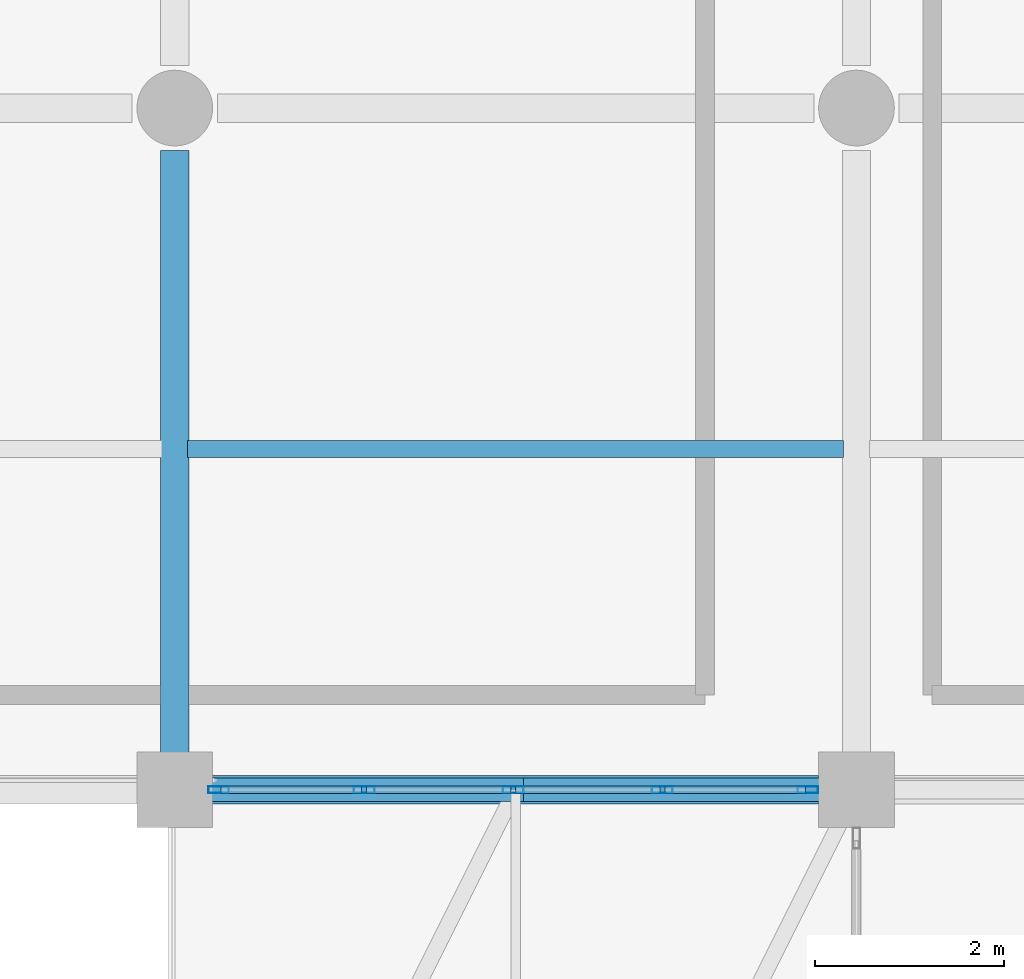
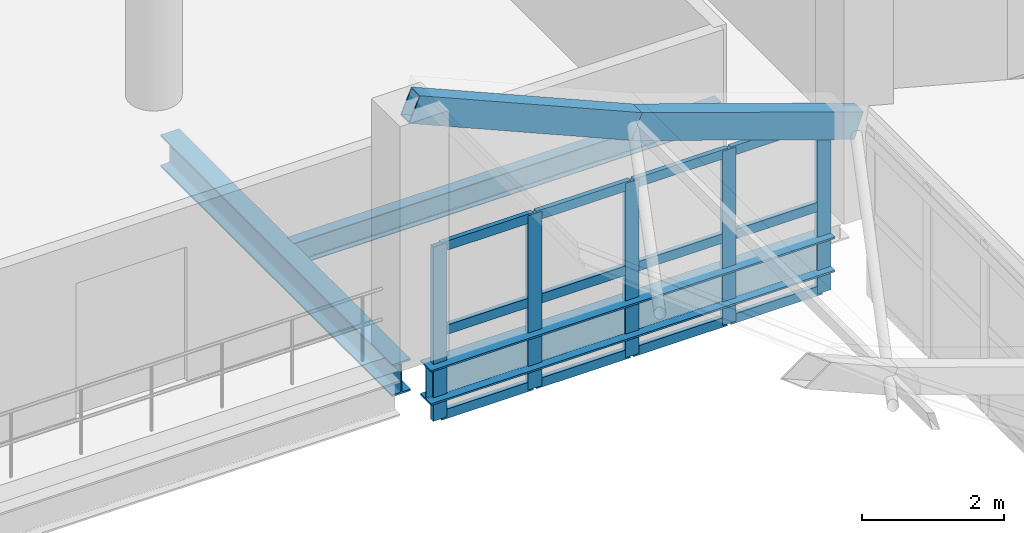
# One storey, part 68 of 153: 17 members, 5 beams, 1 element without a shape of its own.
"""IFC4 building model written with IfcOpenShell, lengths in metres."""

import ifcopenshell
import ifcopenshell.guid

model = None  # the IFC model being written
_history = None  # IfcOwnerHistory: only IFC2X3 demands one
_inside = {}  # id of a spatial element -> (the spatial element, [elements in it])
_under = {}  # id of a project, library or spatial element -> (it, [spatial elements below it])
_declared = {}  # id of a project -> (the project, [libraries it declares])
_typed = {}  # id of a type object -> (the type object, [elements of that type])
_made_of = {}  # id of a material, layer set ... -> (it, [elements and type objects made of it])


def new_model(schema):
    """Start an empty IFC model of exactly this schema.

    Asked for "IFC4X3", IfcOpenShell would pick the latest addendum, in which some entities
    have other attributes; the version numbers below select the first issue.
    IFC2X3 requires an IfcOwnerHistory on every rooted entity: one is made here for all.
    """
    global model, _history
    if schema == "IFC4X3":
        model = ifcopenshell.file(schema_version=(4, 3, 0, 0))
    else:
        model = ifcopenshell.file(schema=schema)
    _inside.clear()
    _under.clear()
    _declared.clear()
    _typed.clear()
    _made_of.clear()
    _history = None
    if model.schema == "IFC2X3":
        org = make("IfcOrganization", Name="unknown")
        user = make(
            "IfcPersonAndOrganization",
            ThePerson=make("IfcPerson", FamilyName="unknown"),
            TheOrganization=org,
        )
        app = make(
            "IfcApplication",
            ApplicationDeveloper=org,
            Version="unknown",
            ApplicationFullName="unknown",
            ApplicationIdentifier="unknown",
        )
        _history = make(
            "IfcOwnerHistory",
            OwningUser=user,
            OwningApplication=app,
            ChangeAction="ADDED",
            CreationDate=0,
        )
    return model


def make(cls, **values):
    """One entity of the class cls with the attributes given. An attribute that is None is left unset."""
    return model.create_entity(
        cls, **{name: value for name, value in values.items() if value is not None}
    )


def rooted(cls, **values):
    """An entity with a GlobalId (a new one), such as an element, a storey or a relation."""
    return make(cls, GlobalId=ifcopenshell.guid.new(), OwnerHistory=_history, **values)


def si_unit(unit_type, name, prefix=None):
    """IfcSIUnit, for example si_unit("LENGTHUNIT", "METRE", prefix="MILLI")."""
    return make("IfcSIUnit", UnitType=unit_type, Prefix=prefix, Name=name)


def assignment(units):
    """IfcUnitAssignment: the units of a project."""
    return None if units is None else make("IfcUnitAssignment", Units=units)


def point(xyz):
    """IfcCartesianPoint."""
    return None if xyz is None else make("IfcCartesianPoint", Coordinates=xyz)


def direction(xyz):
    """IfcDirection."""
    return None if xyz is None else make("IfcDirection", DirectionRatios=xyz)


def frame(location, z_axis=None, x_axis=None):
    """IfcAxis2Placement3D, a coordinate frame: its origin and axes. An axis left out is left unset."""
    return make(
        "IfcAxis2Placement3D",
        Location=point(location),
        Axis=direction(z_axis),
        RefDirection=direction(x_axis),
    )


def frame_2d(location, x_axis=None):
    """IfcAxis2Placement2D, a coordinate frame in the plane: its origin and x axis."""
    return make(
        "IfcAxis2Placement2D", Location=point(location), RefDirection=direction(x_axis)
    )


def origin():
    """The frame at (0, 0, 0) with its axes left unset."""
    return frame((0.0, 0.0, 0.0))


def origin_2d():
    """The frame at (0, 0) in the plane with its x axis left unset."""
    return frame_2d((0.0, 0.0))


def place(relative_to, where):
    """IfcLocalPlacement: puts the frame where relative to a parent placement (None: the world)."""
    return make(
        "IfcLocalPlacement", PlacementRelTo=relative_to, RelativePlacement=where
    )


def context(
    kind, dimensions, precision=None, world=None, true_north=None, identifier=None
):
    """IfcGeometricRepresentationContext, for example the 3D "Model" context."""
    return make(
        "IfcGeometricRepresentationContext",
        ContextIdentifier=identifier,
        ContextType=kind,
        CoordinateSpaceDimension=dimensions,
        Precision=precision,
        WorldCoordinateSystem=world,
        TrueNorth=true_north,
    )


def subcontext(parent, identifier, kind, view, scale=None):
    """IfcGeometricRepresentationSubContext, for example "Body" below "Model"."""
    return make(
        "IfcGeometricRepresentationSubContext",
        ContextIdentifier=identifier,
        ContextType=kind,
        ParentContext=parent,
        TargetScale=scale,
        TargetView=view,
    )


def project(units=None, contexts=None):
    """IfcProject with its units and contexts."""
    return rooted(
        "IfcProject",
        Name="project",
        RepresentationContexts=contexts,
        UnitsInContext=assignment(units),
    )


def spatial(cls, under=None, at=None, **own):
    """A site, building, storey or space (cls), placed at a placement, below another one or the project."""
    s = rooted(cls, ObjectPlacement=at, **own)
    if under is not None:
        _under.setdefault(under.id(), (under, []))[1].append(s)
    return s


def profile(cls, at=None, kind="AREA", **sizes):
    """A parametric profile (cls). Its sizes go by their IFC names, for example OverallWidth=200.0."""
    return make(cls, ProfileType=kind, Position=at, **sizes)


def hollow_rectangle(**sizes):
    """IfcRectangleHollowProfileDef."""
    return profile("IfcRectangleHollowProfileDef", **sizes)


def i_section(**sizes):
    """IfcIShapeProfileDef."""
    return profile("IfcIShapeProfileDef", **sizes)


def extrude(swept, where, along, depth):
    """IfcExtrudedAreaSolid: the profile swept, set in the frame where, extruded along a direction by depth."""
    return make(
        "IfcExtrudedAreaSolid",
        SweptArea=swept,
        Position=where,
        ExtrudedDirection=direction(along),
        Depth=depth,
    )


def shape(context_of_items, identifier, shape_type, items):
    """IfcShapeRepresentation: the items that make up one representation, for example the "Body"."""
    return make(
        "IfcShapeRepresentation",
        ContextOfItems=context_of_items,
        RepresentationIdentifier=identifier,
        RepresentationType=shape_type,
        Items=items,
    )


def material(Name=None, Category=None):
    """IfcMaterial."""
    return make("IfcMaterial", Name=Name, Category=Category)


def material_profile(
    of_material, cross_section, Name=None, Category=None, Priority=None
):
    """IfcMaterialProfile: a cross section and its material."""
    return make(
        "IfcMaterialProfile",
        Name=Name,
        Material=of_material,
        Profile=cross_section,
        Priority=Priority,
        Category=Category,
    )


def profile_set(profiles, Name=None, composite=None):
    """IfcMaterialProfileSet."""
    return make(
        "IfcMaterialProfileSet",
        Name=Name,
        MaterialProfiles=profiles,
        CompositeProfile=composite,
    )


def made_of(thing, what):
    """Note that an element or type object is made of a material, layer set ...; save() writes the relation."""
    if what is not None:
        _made_of.setdefault(what.id(), (what, []))[1].append(thing)
    return thing


def type_object(cls, material=None, **own):
    """A type object (cls), such as IfcWallType, which elements share."""
    return made_of(rooted(cls, **own), material)


def element(
    cls,
    number,
    at=None,
    inside=None,
    cuts=None,
    type_object=None,
    material=None,
    context=None,
    identifier="Body",
    shape_type=None,
    held_by="IfcProductDefinitionShape",
    body=None,
    shapes=None,
    **own,
):
    """One element of the class cls, such as IfcWall. Its Tag is "e" and its number.

    at: its placement. inside: the storey or other place that contains it. cuts: it is an
    opening in that element (IfcRelVoidsElement). A single representation is given by context,
    identifier, shape_type and body (its items); several are given by shapes. held_by: the class
    of the entity that holds the representations. save() writes the other relations.
    """
    e = rooted(cls, Tag="e%d" % number, ObjectPlacement=at, **own)
    if body is not None:
        shapes = [shape(context, identifier, shape_type, body)]
    if shapes is not None:
        e.Representation = make(held_by, Representations=shapes)
    if inside is not None:
        _inside.setdefault(inside.id(), (inside, []))[1].append(e)
    if cuts is not None:
        rooted(
            "IfcRelVoidsElement", RelatingBuildingElement=cuts, RelatedOpeningElement=e
        )
    if type_object is not None:
        _typed.setdefault(type_object.id(), (type_object, []))[1].append(e)
    return made_of(e, material)


def aggregate(whole, parts):
    """IfcRelAggregates: a whole, such as a stair, and the parts it consists of."""
    return rooted("IfcRelAggregates", RelatingObject=whole, RelatedObjects=parts)


def save(model, path):
    """Write the relations noted so far, then the file.

    IfcRelAggregates (storeys below a building ...), IfcRelContainedInSpatialStructure (elements
    in a storey), IfcRelDefinesByType, IfcRelAssociatesMaterial and IfcRelDeclares: one each for
    every whole, place, type object, material and project.
    """
    for whole, parts in _under.values():
        aggregate(whole, parts)
    for where, things in _inside.values():
        rooted(
            "IfcRelContainedInSpatialStructure",
            RelatedElements=things,
            RelatingStructure=where,
        )
    for kind, things in _typed.values():
        rooted("IfcRelDefinesByType", RelatedObjects=things, RelatingType=kind)
    for what, things in _made_of.values():
        rooted("IfcRelAssociatesMaterial", RelatedObjects=things, RelatingMaterial=what)
    for by, libraries in _declared.values():
        rooted("IfcRelDeclares", RelatingContext=by, RelatedDefinitions=libraries)
    model.write(path)


model = new_model("IFC4")

# Units and contexts
model_context = context("Model", 3, precision=1e-05, world=origin(), true_north=direction((0.0, 1.0)))
body_context = subcontext(model_context, "Body", "Model", "MODEL_VIEW")
ifc_project = project(units=[si_unit("LENGTHUNIT", "METRE"), si_unit("AREAUNIT", "SQUARE_METRE"), si_unit("VOLUMEUNIT", "CUBIC_METRE"), si_unit("PLANEANGLEUNIT", "RADIAN"), si_unit("MASSUNIT", "GRAM", prefix="KILO")], contexts=[model_context])

# Site, building, storey
site_placement = place(None, origin())
site = spatial("IfcSite", under=ifc_project, at=site_placement, CompositionType="ELEMENT")
building_placement = place(site_placement, origin())
building = spatial("IfcBuilding", under=site, at=building_placement, Name="Qandorah Velis Arena", CompositionType="ELEMENT")
storey_placement = place(building_placement, frame((0.0, 0.0, 5.39990234375)))
storey = spatial("IfcBuildingStorey", under=building, at=storey_placement, Name="L01", CompositionType="ELEMENT", Elevation=5.39990234375)

# Curtain wall, members
ifc_material_1 = material(Name="Solar-control low-E double glazing", Category="glass")
curtain_wall_type = type_object("IfcCurtainWallType", Name="ARC-CW-SYS05", PredefinedType="USERDEFINED", material=ifc_material_1)
curtain_wall_placement = place(storey_placement, origin())
curtain_wall = element("IfcCurtainWall", 1, at=curtain_wall_placement, inside=storey, type_object=curtain_wall_type, Name="Unitised curtain wall FOY-UP-4", ObjectType="UNITISED CURTAIN WALL", PredefinedType="USERDEFINED")
ifc_material_2 = material(Name="Champagne-bronze anodized aluminium 6063-T6", Category="aluminium")
ifc_material_profile_1 = material_profile(ifc_material_2, hollow_rectangle(XDim=0.074951171875, YDim=0.219970703125, WallThickness=0.00390625, at=origin_2d()), Name="ALU MULLION 75x220")
ifc_profile_set_1 = profile_set([ifc_material_profile_1], Name="Champagne-bronze anodized aluminium 6063-T6")
member_type_1 = type_object("IfcMemberType", Name="ARC-CWM-220", PredefinedType="MULLION", material=ifc_profile_set_1)
member_1_placement = place(storey_placement, frame((137.262451171875, 43.199951171875, -1.3349609375), z_axis=(0.0, 0.0, 1.0), x_axis=(0.0, 1.0, 0.0)))
member_1 = element("IfcMember", 2, at=member_1_placement, type_object=member_type_1, Name="CW05 mullion 1", PredefinedType="MULLION", context=body_context, shape_type="SweptSolid", body=[
    extrude(hollow_rectangle(XDim=0.074951171875, YDim=0.219970703125, WallThickness=0.00390625, at=origin_2d()), origin(), (0.0, 0.0, 1.0), 2.986572265625),
])
member_2_placement = place(storey_placement, frame((138.800048828125, 43.199951171875, -1.3349609375), z_axis=(0.0, 0.0, 1.0), x_axis=(0.0, 1.0, 0.0)))
member_2 = element("IfcMember", 3, at=member_2_placement, type_object=member_type_1, Name="CW05 mullion 2", PredefinedType="MULLION", context=body_context, shape_type="SweptSolid", body=[
    extrude(hollow_rectangle(XDim=0.074951171875, YDim=0.219970703125, WallThickness=0.00390625, at=origin_2d()), origin(), (0.0, 0.0, 1.0), 2.986572265625),
])
member_3_placement = place(storey_placement, frame((140.375, 43.199951171875, -1.3349609375), z_axis=(0.0, 0.0, 1.0), x_axis=(0.0, 1.0, 0.0)))
member_3 = element("IfcMember", 4, at=member_3_placement, type_object=member_type_1, Name="CW05 mullion 3", PredefinedType="MULLION", context=body_context, shape_type="SweptSolid", body=[
    extrude(hollow_rectangle(XDim=0.074951171875, YDim=0.219970703125, WallThickness=0.00390625, at=origin_2d()), origin(), (0.0, 0.0, 1.0), 2.986572265625),
])
member_4_placement = place(storey_placement, frame((141.949951171875, 43.199951171875, -1.3349609375), z_axis=(0.0, 0.0, 1.0), x_axis=(0.0, 1.0, 0.0)))
member_4 = element("IfcMember", 5, at=member_4_placement, type_object=member_type_1, Name="CW05 mullion 4", PredefinedType="MULLION", context=body_context, shape_type="SweptSolid", body=[
    extrude(hollow_rectangle(XDim=0.074951171875, YDim=0.219970703125, WallThickness=0.00390625, at=origin_2d()), origin(), (0.0, 0.0, 1.0), 2.986572265625),
])
member_5_placement = place(storey_placement, frame((143.487548828125, 43.199951171875, -1.3349609375), z_axis=(0.0, 0.0, 1.0), x_axis=(0.0, 1.0, 0.0)))
member_5 = element("IfcMember", 6, at=member_5_placement, type_object=member_type_1, Name="CW05 mullion 5", PredefinedType="MULLION", context=body_context, shape_type="SweptSolid", body=[
    extrude(hollow_rectangle(XDim=0.074951171875, YDim=0.219970703125, WallThickness=0.00390625, at=origin_2d()), origin(), (0.0, 0.0, 1.0), 2.986572265625),
])
ifc_material_profile_2 = material_profile(ifc_material_2, hollow_rectangle(XDim=0.074951171875, YDim=0.159912109375, WallThickness=0.00341796875, at=origin_2d()), Name="ALU TRANSOM 75x160")
ifc_profile_set_2 = profile_set([ifc_material_profile_2], Name="Champagne-bronze anodized aluminium 6063-T6")
member_type_2 = type_object("IfcMemberType", Name="ARC-CWT-160", PredefinedType="USERDEFINED", material=ifc_profile_set_2)
member_6_placement = place(storey_placement, frame((137.2880859375, 43.199951171875, -1.282470703125), z_axis=(1.0, 0.0, 0.0), x_axis=(0.0, 1.0, 0.0)))
member_6 = element("IfcMember", 7, at=member_6_placement, type_object=member_type_2, Name="CW05 transom 1.1", ObjectType="TRANSOM", PredefinedType="USERDEFINED", context=body_context, shape_type="SweptSolid", body=[
    extrude(hollow_rectangle(XDim=0.074951171875, YDim=0.159912109375, WallThickness=0.00341796875, at=origin_2d()), origin(), (0.0, 0.0, 1.0), 1.486328125),
])
member_7_placement = place(storey_placement, frame((137.2880859375, 43.199951171875, 0.158447265625), z_axis=(1.0, 0.0, 0.0), x_axis=(0.0, 1.0, 0.0)))
member_7 = element("IfcMember", 8, at=member_7_placement, type_object=member_type_2, Name="CW05 transom 1.2", ObjectType="TRANSOM", PredefinedType="USERDEFINED", context=body_context, shape_type="SweptSolid", body=[
    extrude(hollow_rectangle(XDim=0.074951171875, YDim=0.159912109375, WallThickness=0.00341796875, at=origin_2d()), origin(), (0.0, 0.0, 1.0), 1.486328125),
])
member_8_placement = place(storey_placement, frame((137.2880859375, 43.199951171875, 1.59912109375), z_axis=(1.0, 0.0, 0.0), x_axis=(0.0, 1.0, 0.0)))
member_8 = element("IfcMember", 9, at=member_8_placement, type_object=member_type_2, Name="CW05 transom 1.3", ObjectType="TRANSOM", PredefinedType="USERDEFINED", context=body_context, shape_type="SweptSolid", body=[
    extrude(hollow_rectangle(XDim=0.074951171875, YDim=0.159912109375, WallThickness=0.00341796875, at=origin_2d()), origin(), (0.0, 0.0, 1.0), 1.486328125),
])
member_9_placement = place(storey_placement, frame((138.825439453125, 43.199951171875, -1.282470703125), z_axis=(1.0, 0.0, 0.0), x_axis=(0.0, 1.0, 0.0)))
member_9 = element("IfcMember", 10, at=member_9_placement, type_object=member_type_2, Name="CW05 transom 2.1", ObjectType="TRANSOM", PredefinedType="USERDEFINED", context=body_context, shape_type="SweptSolid", body=[
    extrude(hollow_rectangle(XDim=0.074951171875, YDim=0.159912109375, WallThickness=0.00341796875, at=origin_2d()), origin(), (0.0, 0.0, 1.0), 1.524169921875),
])
member_10_placement = place(storey_placement, frame((138.825439453125, 43.199951171875, 0.158447265625), z_axis=(1.0, 0.0, 0.0), x_axis=(0.0, 1.0, 0.0)))
member_10 = element("IfcMember", 11, at=member_10_placement, type_object=member_type_2, Name="CW05 transom 2.2", ObjectType="TRANSOM", PredefinedType="USERDEFINED", context=body_context, shape_type="SweptSolid", body=[
    extrude(hollow_rectangle(XDim=0.074951171875, YDim=0.159912109375, WallThickness=0.00341796875, at=origin_2d()), origin(), (0.0, 0.0, 1.0), 1.524169921875),
])
member_11_placement = place(storey_placement, frame((138.825439453125, 43.199951171875, 1.59912109375), z_axis=(1.0, 0.0, 0.0), x_axis=(0.0, 1.0, 0.0)))
member_11 = element("IfcMember", 12, at=member_11_placement, type_object=member_type_2, Name="CW05 transom 2.3", ObjectType="TRANSOM", PredefinedType="USERDEFINED", context=body_context, shape_type="SweptSolid", body=[
    extrude(hollow_rectangle(XDim=0.074951171875, YDim=0.159912109375, WallThickness=0.00341796875, at=origin_2d()), origin(), (0.0, 0.0, 1.0), 1.524169921875),
])
member_12_placement = place(storey_placement, frame((140.400390625, 43.199951171875, -1.282470703125), z_axis=(1.0, 0.0, 0.0), x_axis=(0.0, 1.0, 0.0)))
member_12 = element("IfcMember", 13, at=member_12_placement, type_object=member_type_2, Name="CW05 transom 3.1", ObjectType="TRANSOM", PredefinedType="USERDEFINED", context=body_context, shape_type="SweptSolid", body=[
    extrude(hollow_rectangle(XDim=0.074951171875, YDim=0.159912109375, WallThickness=0.00341796875, at=origin_2d()), origin(), (0.0, 0.0, 1.0), 1.524169921875),
])
member_13_placement = place(storey_placement, frame((140.400390625, 43.199951171875, 0.158447265625), z_axis=(1.0, 0.0, 0.0), x_axis=(0.0, 1.0, 0.0)))
member_13 = element("IfcMember", 14, at=member_13_placement, type_object=member_type_2, Name="CW05 transom 3.2", ObjectType="TRANSOM", PredefinedType="USERDEFINED", context=body_context, shape_type="SweptSolid", body=[
    extrude(hollow_rectangle(XDim=0.074951171875, YDim=0.159912109375, WallThickness=0.00341796875, at=origin_2d()), origin(), (0.0, 0.0, 1.0), 1.524169921875),
])
member_14_placement = place(storey_placement, frame((140.400390625, 43.199951171875, 1.59912109375), z_axis=(1.0, 0.0, 0.0), x_axis=(0.0, 1.0, 0.0)))
member_14 = element("IfcMember", 15, at=member_14_placement, type_object=member_type_2, Name="CW05 transom 3.3", ObjectType="TRANSOM", PredefinedType="USERDEFINED", context=body_context, shape_type="SweptSolid", body=[
    extrude(hollow_rectangle(XDim=0.074951171875, YDim=0.159912109375, WallThickness=0.00341796875, at=origin_2d()), origin(), (0.0, 0.0, 1.0), 1.524169921875),
])
member_15_placement = place(storey_placement, frame((141.9755859375, 43.199951171875, -1.282470703125), z_axis=(1.0, 0.0, 0.0), x_axis=(0.0, 1.0, 0.0)))
member_15 = element("IfcMember", 16, at=member_15_placement, type_object=member_type_2, Name="CW05 transom 4.1", ObjectType="TRANSOM", PredefinedType="USERDEFINED", context=body_context, shape_type="SweptSolid", body=[
    extrude(hollow_rectangle(XDim=0.074951171875, YDim=0.159912109375, WallThickness=0.00341796875, at=origin_2d()), origin(), (0.0, 0.0, 1.0), 1.486328125),
])
member_16_placement = place(storey_placement, frame((141.9755859375, 43.199951171875, 0.158447265625), z_axis=(1.0, 0.0, 0.0), x_axis=(0.0, 1.0, 0.0)))
member_16 = element("IfcMember", 17, at=member_16_placement, type_object=member_type_2, Name="CW05 transom 4.2", ObjectType="TRANSOM", PredefinedType="USERDEFINED", context=body_context, shape_type="SweptSolid", body=[
    extrude(hollow_rectangle(XDim=0.074951171875, YDim=0.159912109375, WallThickness=0.00341796875, at=origin_2d()), origin(), (0.0, 0.0, 1.0), 1.486328125),
])
member_17_placement = place(storey_placement, frame((141.9755859375, 43.199951171875, 1.59912109375), z_axis=(1.0, 0.0, 0.0), x_axis=(0.0, 1.0, 0.0)))
member_17 = element("IfcMember", 18, at=member_17_placement, type_object=member_type_2, Name="CW05 transom 4.3", ObjectType="TRANSOM", PredefinedType="USERDEFINED", context=body_context, shape_type="SweptSolid", body=[
    extrude(hollow_rectangle(XDim=0.074951171875, YDim=0.159912109375, WallThickness=0.00341796875, at=origin_2d()), origin(), (0.0, 0.0, 1.0), 1.486328125),
])
aggregate(curtain_wall, [member_1, member_2, member_3, member_4, member_5, member_6, member_7, member_8, member_9, member_10, member_11, member_12, member_13, member_14, member_15, member_16, member_17])

# Beams
ifc_material_3 = material(Name="Steel S355", Category="steel")
ifc_material_profile_3 = material_profile(ifc_material_3, i_section(OverallWidth=0.300048828125, OverallDepth=0.550048828125, WebThickness=0.014892578125, FlangeThickness=0.029052734375, FilletRadius=0.027099609375, at=origin_2d()), Name="HEB 550")
ifc_profile_set_3 = profile_set([ifc_material_profile_3], Name="Steel S355")
beam_type_1 = type_object("IfcBeamType", Name="STR-BM-HEB550", PredefinedType="BEAM", material=ifc_profile_set_3)
beam_1_placement = place(storey_placement, frame((136.800048828125, 43.449951171875, -0.635009765625), z_axis=(0.0, 1.0, 0.0), x_axis=(-1.0, 0.0, 0.0)))
element("IfcBeam", 19, at=beam_1_placement, inside=storey, type_object=beam_type_1, Name="Primary floor girder L01 Y-403", PredefinedType="BEAM", context=body_context, shape_type="SweptSolid", body=[
    extrude(i_section(OverallWidth=0.300048828125, OverallDepth=0.550048828125, WebThickness=0.014892578125, FlangeThickness=0.029052734375, FilletRadius=0.027099609375, at=origin_2d()), origin(), (0.0, 0.0, 1.0), 6.5),
])
ifc_material_profile_4 = material_profile(ifc_material_3, i_section(OverallWidth=0.300048828125, OverallDepth=0.60009765625, WebThickness=0.015380859375, FlangeThickness=0.030029296875, FilletRadius=0.027099609375, at=origin_2d()), Name="HEB 600")
ifc_profile_set_4 = profile_set([ifc_material_profile_4], Name="Steel S355")
beam_type_2 = type_object("IfcBeamType", Name="STR-BM-HEB600", PredefinedType="BEAM", material=ifc_profile_set_4)
beam_2_placement = place(storey_placement, frame((137.050048828125, 43.199951171875, -0.659912109375), z_axis=(1.0, 0.0, 0.0), x_axis=(0.0, 1.0, 0.0)))
element("IfcBeam", 20, at=beam_2_placement, inside=storey, type_object=beam_type_2, Name="Primary floor girder L01 X-083", PredefinedType="BEAM", context=body_context, shape_type="SweptSolid", body=[
    extrude(i_section(OverallWidth=0.300048828125, OverallDepth=0.60009765625, WebThickness=0.015380859375, FlangeThickness=0.030029296875, FilletRadius=0.027099609375, at=origin_2d()), origin(), (0.0, 0.0, 1.0), 6.550048828125),
])
ifc_material_profile_5 = material_profile(ifc_material_3, hollow_rectangle(XDim=0.25, YDim=0.449951171875, WallThickness=0.01611328125, at=origin_2d()), Name="RHS 450x250x16")
ifc_profile_set_5 = profile_set([ifc_material_profile_5], Name="Steel S355")
beam_type_3 = type_object("IfcBeamType", Name="STR-CRB-RHS450", PredefinedType="USERDEFINED", material=ifc_profile_set_5)
beam_3_placement = place(storey_placement, frame((136.800048828125, 43.199951171875, 4.18603515625), z_axis=(0.918383019151, 0.0, -0.395692595501), x_axis=(0.0, 1.0, 0.0)))
element("IfcBeam", 21, at=beam_3_placement, inside=storey, type_object=beam_type_3, Name="Sweeping canopy rib CRB-5.07", ObjectType="ROOF TRUSS", PredefinedType="USERDEFINED", context=body_context, shape_type="SweptSolid", body=[
    extrude(hollow_rectangle(XDim=0.25, YDim=0.449951171875, WallThickness=0.01611328125, at=origin_2d()), origin(), (0.0, 0.0, 1.0), 3.919677734375),
])
beam_4_placement = place(storey_placement, frame((140.39990234375, 43.199951171875, 2.635009765625), z_axis=(0.944993692242, 0.0, -0.327088553181), x_axis=(0.0, 1.0, 0.0)))
element("IfcBeam", 22, at=beam_4_placement, inside=storey, type_object=beam_type_3, Name="Sweeping canopy rib CRB-5.08", ObjectType="ROOF TRUSS", PredefinedType="USERDEFINED", context=body_context, shape_type="SweptSolid", body=[
    extrude(hollow_rectangle(XDim=0.25, YDim=0.449951171875, WallThickness=0.01611328125, at=origin_2d()), origin(), (0.0, 0.0, 1.0), 3.8095703125),
])
ifc_material_profile_6 = material_profile(ifc_material_3, i_section(OverallWidth=0.179931640625, OverallDepth=0.39990234375, WebThickness=0.008544921875, FlangeThickness=0.013427734375, FilletRadius=0.02099609375, at=origin_2d()), Name="IPE 400")
ifc_profile_set_6 = profile_set([ifc_material_profile_6], Name="Steel S355")
beam_type_4 = type_object("IfcBeamType", Name="STR-JST-IPE400", PredefinedType="JOIST", material=ifc_profile_set_6)
beam_5_placement = place(storey_placement, frame((136.93505859375, 46.800048828125, -0.559814453125), z_axis=(1.0, 0.0, 0.0), x_axis=(0.0, 1.0, 0.0)))
element("IfcBeam", 23, at=beam_5_placement, inside=storey, type_object=beam_type_4, Name="Secondary floor joist L01-142", PredefinedType="JOIST", context=body_context, shape_type="SweptSolid", body=[
    extrude(i_section(OverallWidth=0.179931640625, OverallDepth=0.39990234375, WebThickness=0.008544921875, FlangeThickness=0.013427734375, FilletRadius=0.02099609375, at=origin_2d()), origin(), (0.0, 0.0, 1.0), 6.929931640625),
])

save(model, "model.ifc")
